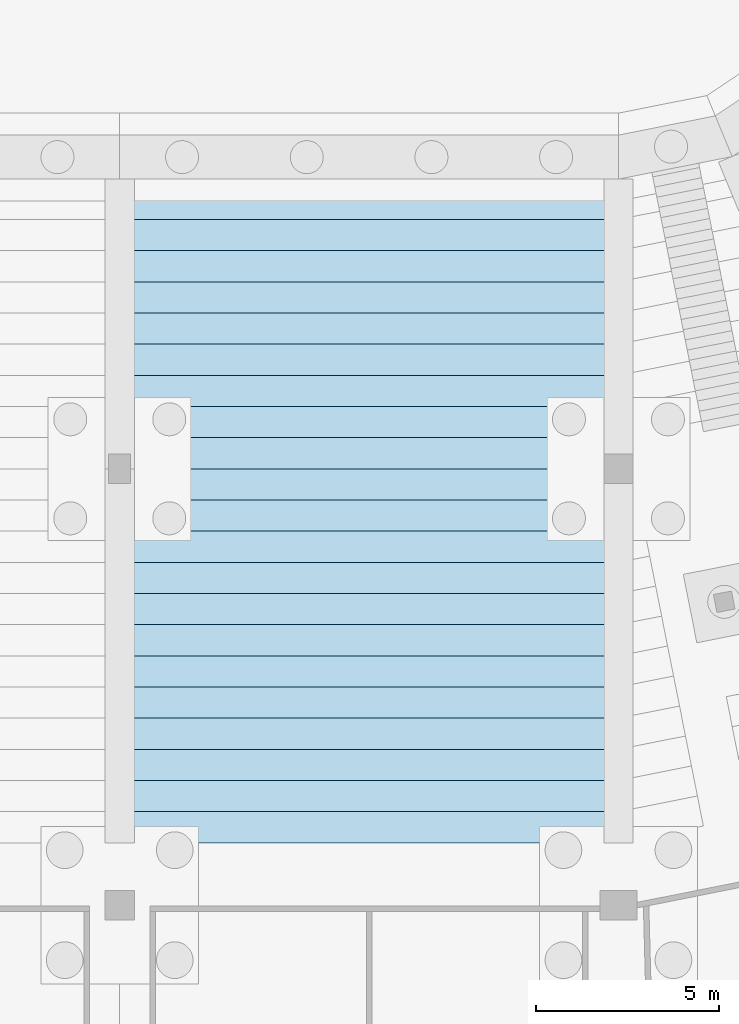
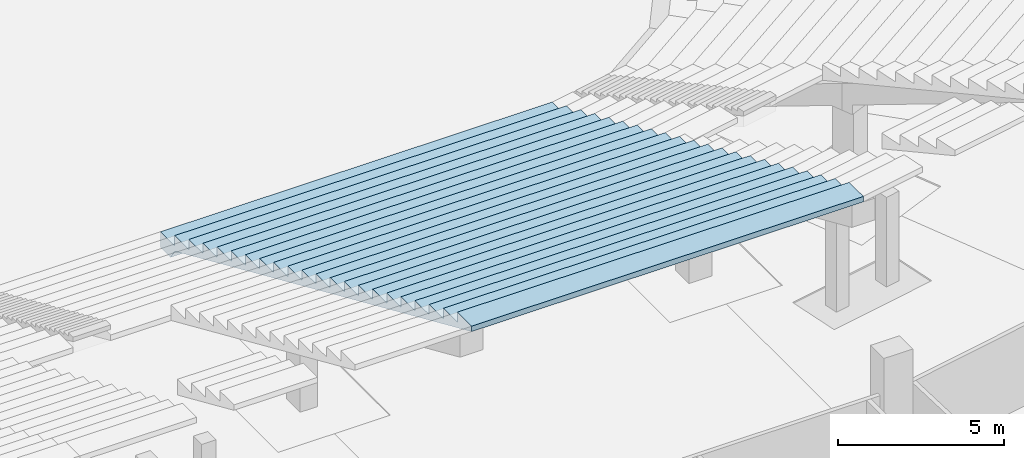
# One storey, part 47 of 115: 1 slab.
"""IFC4 building model written with IfcOpenShell, lengths in metres."""

from ifc_helpers import new_model, si_unit, direction, frame, origin, place, context, subcontext, project, spatial, faceted_brep, material, layer, layer_set, type_object, element, save


model = new_model("IFC4")

# Units and contexts
model_context = context("Model", 3, precision=1e-05, world=origin(), true_north=direction((0.0, 1.0)))
body_context = subcontext(model_context, "Body", "Model", "MODEL_VIEW")
ifc_project = project(units=[si_unit("LENGTHUNIT", "METRE"), si_unit("AREAUNIT", "SQUARE_METRE"), si_unit("VOLUMEUNIT", "CUBIC_METRE"), si_unit("PLANEANGLEUNIT", "RADIAN"), si_unit("MASSUNIT", "GRAM", prefix="KILO")], contexts=[model_context])

# Site, building, storey
site_placement = place(None, origin())
site = spatial("IfcSite", under=ifc_project, at=site_placement, CompositionType="ELEMENT")
building_placement = place(site_placement, origin())
building = spatial("IfcBuilding", under=site, at=building_placement, Name="Ogive Plaza Stadium", CompositionType="ELEMENT")
storey_placement = place(building_placement, frame((0.0, 0.0, -4.5)))
storey = spatial("IfcBuildingStorey", under=building, at=storey_placement, Name="B1", CompositionType="ELEMENT", Elevation=-4.5)

# Slab
ifc_material = material(Name="Concrete C45/55 precast", Category="concrete")
ifc_layer = layer(ifc_material, 0.574951171875)
ifc_layer_set = layer_set([ifc_layer], Name="Concrete C45/55 precast")
slab_type = type_object("IfcSlabType", Name="Seating tier LT 575", PredefinedType="USERDEFINED", material=ifc_layer_set)
slab_placement = place(storey_placement, origin())
element("IfcSlab", 1, at=slab_placement, inside=storey, type_object=slab_type, Name="Stand LT B12", ObjectType="SEATING TIER", PredefinedType="USERDEFINED", context=body_context, shape_type="Brep", body=[
    faceted_brep([(20.39990234375, -60.0, 1.125), (20.39990234375, -60.60009765625, 1.125), (34.0, -60.60009765625, 1.125), (34.0, -60.0, 1.125), (20.39990234375, -60.85009765625, 1.125), (34.0, -60.85009765625, 1.125), (20.39990234375, -60.60009765625, 0.550048828125), (34.0, -60.0, 0.550048828125), (34.0, -60.60009765625, 0.550048828125), (20.39990234375, -60.0, 0.550048828125), (34.0, -60.85009765625, 0.925048828125), (34.0, -60.85009765625, 1.5), (34.0, -61.699951171875, 1.5), (34.0, -61.699951171875, 1.300048828125), (34.0, -61.699951171875, 1.875), (34.0, -62.550048828125, 1.875), (34.0, -62.550048828125, 1.675048828125), (34.0, -62.550048828125, 2.25), (34.0, -63.39990234375, 2.25), (34.0, -63.39990234375, 2.050048828125), (34.0, -63.39990234375, 2.625), (34.0, -64.25, 2.625), (34.0, -64.25, 2.425048828125), (34.0, -64.25, 3.0), (34.0, -65.10009765625, 3.0), (34.0, -65.10009765625, 2.800048828125), (34.0, -65.10009765625, 3.375), (34.0, -65.949951171875, 3.375), (34.0, -65.949951171875, 3.175048828125), (34.0, -65.949951171875, 3.75), (34.0, -66.800048828125, 3.75), (34.0, -66.800048828125, 3.550048828125), (34.0, -66.800048828125, 4.125), (34.0, -67.64990234375, 4.125), (34.0, -67.64990234375, 3.925048828125), (34.0, -67.64990234375, 4.5), (34.0, -68.5, 4.5), (34.0, -68.5, 4.300048828125), (34.0, -68.5, 4.875), (34.0, -69.35009765625, 4.875), (34.0, -69.35009765625, 4.675048828125), (34.0, -69.35009765625, 5.25), (34.0, -70.199951171875, 5.25), (34.0, -70.199951171875, 5.050048828125), (34.0, -70.199951171875, 5.625), (34.0, -71.050048828125, 5.625), (34.0, -71.050048828125, 5.425048828125), (34.0, -71.050048828125, 6.0), (34.0, -71.89990234375, 6.0), (34.0, -71.89990234375, 5.800048828125), (34.0, -71.89990234375, 6.375), (34.0, -72.75, 6.375), (34.0, -72.75, 6.175048828125), (34.0, -72.75, 6.75), (34.0, -73.60009765625, 6.75), (34.0, -73.60009765625, 6.550048828125), (34.0, -73.60009765625, 7.125), (34.0, -74.449951171875, 7.125), (34.0, -74.449951171875, 6.925048828125), (34.0, -74.449951171875, 7.5), (34.0, -75.300048828125, 7.5), (34.0, -75.300048828125, 7.300048828125), (34.0, -75.300048828125, 7.875), (34.0, -76.14990234375, 7.875), (34.0, -76.14990234375, 7.675048828125), (34.0, -76.14990234375, 8.25), (34.0, -77.0, 8.25), (34.0, -77.0, 8.050048828125), (34.0, -77.0, 8.625), (34.0, -77.85009765625, 8.625), (34.0, -77.85009765625, 8.425048828125), (34.0, -77.85009765625, 9.0), (34.0, -78.699951171875, 9.0), (34.0, -78.699951171875, 8.800048828125), (20.39990234375, -60.85009765625, 0.925048828125), (20.39990234375, -61.699951171875, 1.5), (20.39990234375, -60.85009765625, 1.5), (20.39990234375, -61.699951171875, 1.300048828125), (20.39990234375, -62.550048828125, 1.875), (20.39990234375, -61.699951171875, 1.875), (20.39990234375, -62.550048828125, 1.675048828125), (20.39990234375, -63.39990234375, 2.25), (20.39990234375, -62.550048828125, 2.25), (20.39990234375, -63.39990234375, 2.050048828125), (20.39990234375, -64.25, 2.625), (20.39990234375, -63.39990234375, 2.625), (20.39990234375, -64.25, 2.425048828125), (20.39990234375, -65.10009765625, 3.0), (20.39990234375, -64.25, 3.0), (20.39990234375, -65.10009765625, 2.800048828125), (20.39990234375, -65.949951171875, 3.375), (20.39990234375, -65.10009765625, 3.375), (20.39990234375, -65.949951171875, 3.175048828125), (20.39990234375, -66.800048828125, 3.75), (20.39990234375, -65.949951171875, 3.75), (20.39990234375, -66.800048828125, 3.550048828125), (20.39990234375, -67.64990234375, 4.125), (20.39990234375, -66.800048828125, 4.125), (20.39990234375, -67.64990234375, 3.925048828125), (20.39990234375, -68.5, 4.5), (20.39990234375, -67.64990234375, 4.5), (20.39990234375, -68.5, 4.300048828125), (20.39990234375, -69.35009765625, 4.875), (20.39990234375, -68.5, 4.875), (20.39990234375, -69.35009765625, 4.675048828125), (20.39990234375, -70.199951171875, 5.25), (20.39990234375, -69.35009765625, 5.25), (20.39990234375, -70.199951171875, 5.050048828125), (20.39990234375, -71.050048828125, 5.625), (20.39990234375, -70.199951171875, 5.625), (20.39990234375, -71.050048828125, 5.425048828125), (20.39990234375, -71.89990234375, 6.0), (20.39990234375, -71.050048828125, 6.0), (20.39990234375, -71.89990234375, 5.800048828125), (20.39990234375, -72.75, 6.375), (20.39990234375, -71.89990234375, 6.375), (20.39990234375, -72.75, 6.175048828125), (20.39990234375, -73.60009765625, 6.75), (20.39990234375, -72.75, 6.75), (20.39990234375, -73.60009765625, 6.550048828125), (20.39990234375, -74.449951171875, 7.125), (20.39990234375, -73.60009765625, 7.125), (20.39990234375, -74.449951171875, 6.925048828125), (20.39990234375, -75.300048828125, 7.5), (20.39990234375, -74.449951171875, 7.5), (20.39990234375, -75.300048828125, 7.300048828125), (20.39990234375, -76.14990234375, 7.875), (20.39990234375, -75.300048828125, 7.875), (20.39990234375, -76.14990234375, 7.675048828125), (20.39990234375, -77.0, 8.25), (20.39990234375, -76.14990234375, 8.25), (20.39990234375, -77.0, 8.050048828125), (20.39990234375, -77.85009765625, 8.625), (20.39990234375, -77.0, 8.625), (20.39990234375, -77.85009765625, 8.425048828125), (20.39990234375, -78.699951171875, 9.0), (20.39990234375, -77.85009765625, 9.0), (20.39990234375, -78.699951171875, 8.800048828125)], [[[0, 1, 2]], [[2, 3, 0]], [[1, 4, 5]], [[5, 2, 1]], [[6, 7, 8]], [[6, 9, 7]], [[2, 8, 7]], [[7, 3, 2]], [[10, 8, 2]], [[10, 2, 5]], [[5, 11, 12]], [[12, 13, 10]], [[10, 5, 12]], [[12, 14, 15]], [[15, 16, 13]], [[13, 12, 15]], [[15, 17, 18]], [[18, 19, 16]], [[16, 15, 18]], [[18, 20, 21]], [[21, 22, 19]], [[19, 18, 21]], [[21, 23, 24]], [[24, 25, 22]], [[22, 21, 24]], [[24, 26, 27]], [[27, 28, 25]], [[25, 24, 27]], [[27, 29, 30]], [[30, 31, 28]], [[28, 27, 30]], [[30, 32, 33]], [[33, 34, 31]], [[31, 30, 33]], [[33, 35, 36]], [[36, 37, 34]], [[34, 33, 36]], [[36, 38, 39]], [[39, 40, 37]], [[37, 36, 39]], [[39, 41, 42]], [[42, 43, 40]], [[40, 39, 42]], [[42, 44, 45]], [[45, 46, 43]], [[43, 42, 45]], [[45, 47, 48]], [[48, 49, 46]], [[46, 45, 48]], [[48, 50, 51]], [[51, 52, 49]], [[49, 48, 51]], [[51, 53, 54]], [[54, 55, 52]], [[52, 51, 54]], [[54, 56, 57]], [[57, 58, 55]], [[55, 54, 57]], [[57, 59, 60]], [[60, 61, 58]], [[58, 57, 60]], [[60, 62, 63]], [[63, 64, 61]], [[61, 60, 63]], [[63, 65, 66]], [[66, 67, 64]], [[64, 63, 66]], [[66, 68, 69]], [[69, 70, 67]], [[67, 66, 69]], [[69, 71, 72]], [[72, 73, 70]], [[70, 69, 72]], [[3, 7, 9]], [[9, 0, 3]], [[0, 9, 6]], [[6, 1, 0]], [[1, 6, 74]], [[74, 4, 1]], [[75, 76, 4]], [[4, 74, 77]], [[77, 75, 4]], [[78, 79, 75]], [[75, 77, 80]], [[80, 78, 75]], [[81, 82, 78]], [[78, 80, 83]], [[83, 81, 78]], [[84, 85, 81]], [[81, 83, 86]], [[86, 84, 81]], [[87, 88, 84]], [[84, 86, 89]], [[89, 87, 84]], [[90, 91, 87]], [[87, 89, 92]], [[92, 90, 87]], [[93, 94, 90]], [[90, 92, 95]], [[95, 93, 90]], [[96, 97, 93]], [[93, 95, 98]], [[98, 96, 93]], [[99, 100, 96]], [[96, 98, 101]], [[101, 99, 96]], [[102, 103, 99]], [[99, 101, 104]], [[104, 102, 99]], [[105, 106, 102]], [[102, 104, 107]], [[107, 105, 102]], [[108, 109, 105]], [[105, 107, 110]], [[110, 108, 105]], [[111, 112, 108]], [[108, 110, 113]], [[113, 111, 108]], [[114, 115, 111]], [[111, 113, 116]], [[116, 114, 111]], [[117, 118, 114]], [[114, 116, 119]], [[119, 117, 114]], [[120, 121, 117]], [[117, 119, 122]], [[122, 120, 117]], [[123, 124, 120]], [[120, 122, 125]], [[125, 123, 120]], [[126, 127, 123]], [[123, 125, 128]], [[128, 126, 123]], [[129, 130, 126]], [[126, 128, 131]], [[131, 129, 126]], [[132, 133, 129]], [[129, 131, 134]], [[134, 132, 129]], [[135, 136, 132]], [[132, 134, 137]], [[137, 135, 132]], [[74, 8, 10]], [[74, 6, 8]], [[11, 5, 4]], [[4, 76, 11]], [[76, 75, 12]], [[12, 11, 76]], [[77, 10, 13]], [[77, 74, 10]], [[80, 13, 16]], [[80, 77, 13]], [[83, 16, 19]], [[83, 80, 16]], [[86, 19, 22]], [[86, 83, 19]], [[89, 22, 25]], [[89, 86, 22]], [[92, 25, 28]], [[92, 89, 25]], [[95, 28, 31]], [[95, 92, 28]], [[98, 31, 34]], [[98, 95, 31]], [[101, 34, 37]], [[101, 98, 34]], [[104, 37, 40]], [[104, 101, 37]], [[107, 40, 43]], [[107, 104, 40]], [[110, 43, 46]], [[110, 107, 43]], [[113, 46, 49]], [[113, 110, 46]], [[116, 49, 52]], [[116, 113, 49]], [[119, 52, 55]], [[119, 116, 52]], [[122, 55, 58]], [[122, 119, 55]], [[125, 58, 61]], [[125, 122, 58]], [[128, 61, 64]], [[128, 125, 61]], [[14, 12, 75]], [[75, 79, 14]], [[79, 78, 15]], [[15, 14, 79]], [[17, 15, 78]], [[78, 82, 17]], [[82, 81, 18]], [[18, 17, 82]], [[20, 18, 81]], [[81, 85, 20]], [[85, 84, 21]], [[21, 20, 85]], [[23, 21, 84]], [[84, 88, 23]], [[88, 87, 24]], [[24, 23, 88]], [[26, 24, 87]], [[87, 91, 26]], [[91, 90, 27]], [[27, 26, 91]], [[29, 27, 90]], [[90, 94, 29]], [[94, 93, 30]], [[30, 29, 94]], [[32, 30, 93]], [[93, 97, 32]], [[97, 96, 33]], [[33, 32, 97]], [[35, 33, 96]], [[96, 100, 35]], [[100, 99, 36]], [[36, 35, 100]], [[38, 36, 99]], [[99, 103, 38]], [[103, 102, 39]], [[39, 38, 103]], [[41, 39, 102]], [[102, 106, 41]], [[106, 105, 42]], [[42, 41, 106]], [[44, 42, 105]], [[105, 109, 44]], [[109, 108, 45]], [[45, 44, 109]], [[47, 45, 108]], [[108, 112, 47]], [[112, 111, 48]], [[48, 47, 112]], [[50, 48, 111]], [[111, 115, 50]], [[115, 114, 51]], [[51, 50, 115]], [[53, 51, 114]], [[114, 118, 53]], [[118, 117, 54]], [[54, 53, 118]], [[56, 54, 117]], [[117, 121, 56]], [[121, 120, 57]], [[57, 56, 121]], [[59, 57, 120]], [[120, 124, 59]], [[124, 123, 60]], [[60, 59, 124]], [[62, 60, 123]], [[123, 127, 62]], [[127, 126, 63]], [[63, 62, 127]], [[65, 63, 126]], [[126, 130, 65]], [[130, 129, 66]], [[66, 65, 130]], [[131, 64, 67]], [[131, 128, 64]], [[134, 67, 70]], [[134, 131, 67]], [[137, 70, 73]], [[137, 134, 70]], [[68, 66, 129]], [[129, 133, 68]], [[133, 132, 69]], [[69, 68, 133]], [[71, 69, 132]], [[132, 136, 71]], [[136, 135, 72]], [[72, 71, 136]], [[135, 137, 73]], [[73, 72, 135]]]),
])

save(model, "model.ifc")
